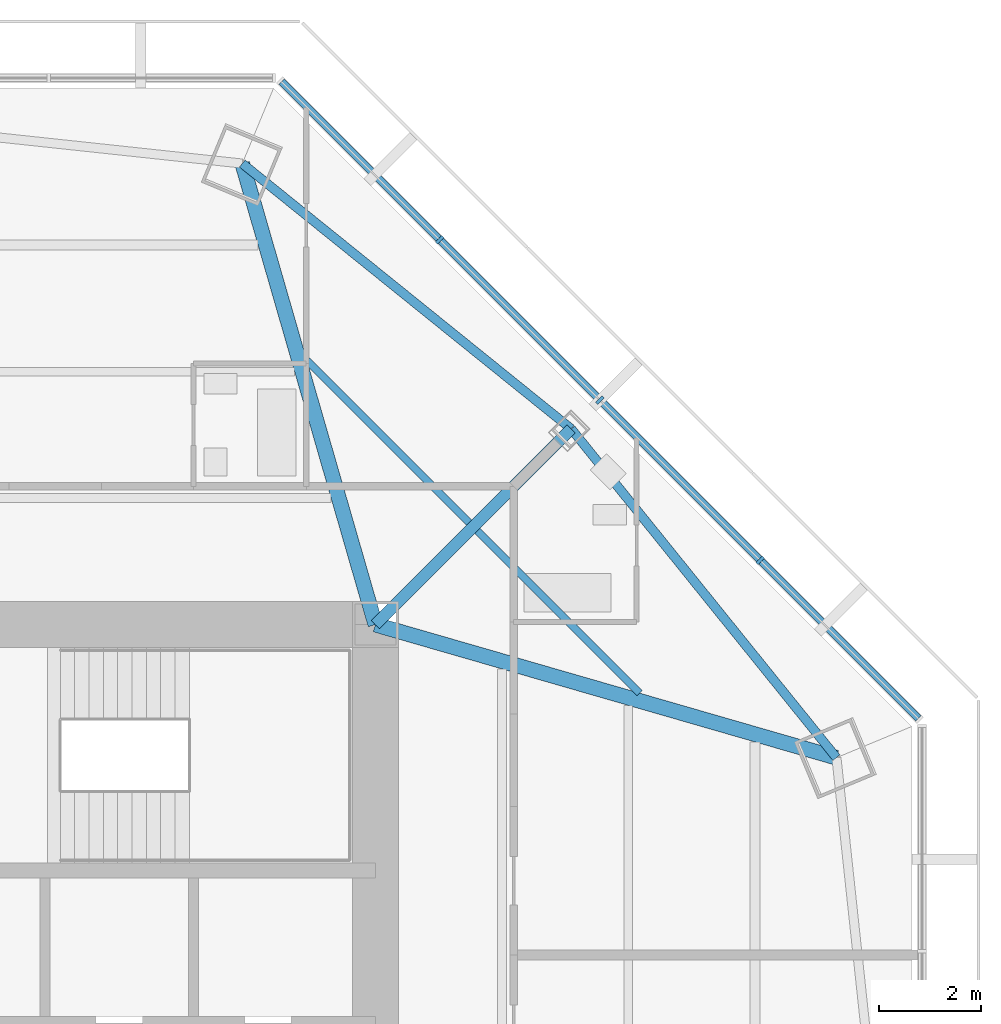
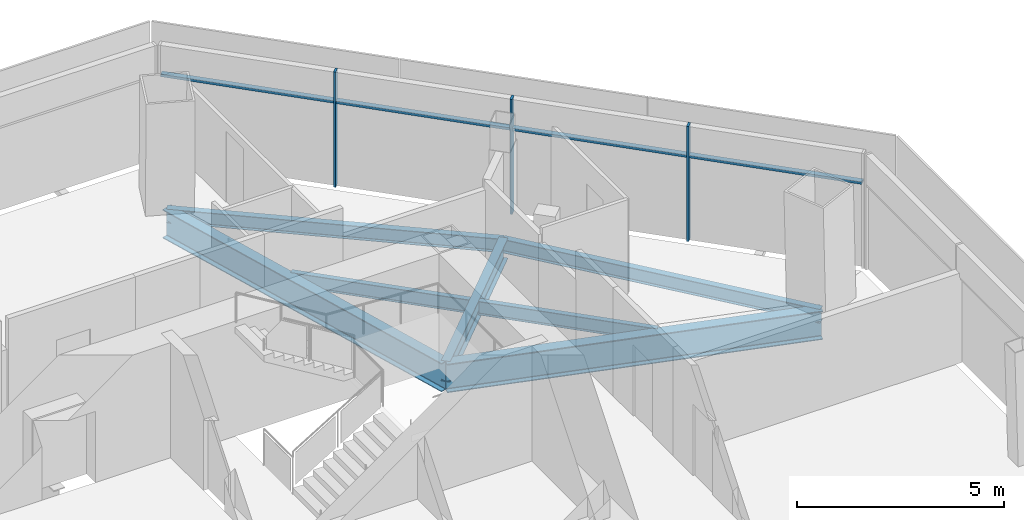
# One storey, part 6 of 15: 7 beams, 7 members, 1 element without a shape of its own.
"""IFC4 building model written with IfcOpenShell, lengths in metres."""

from ifc_helpers import new_model, si_unit, direction, frame, origin, origin_2d, place, context, subcontext, project, spatial, rectangle, i_section, extrude, source, transform, mapped, material, material_profile, profile_set, type_object, type_shapes, element, aggregate, save


model = new_model("IFC4")

# Units and contexts
model_context = context("Model", 3, precision=1e-05, world=origin(), true_north=direction((0.0, 1.0)))
body_context = subcontext(model_context, "Body", "Model", "MODEL_VIEW")
ifc_project = project(units=[si_unit("LENGTHUNIT", "METRE"), si_unit("AREAUNIT", "SQUARE_METRE"), si_unit("VOLUMEUNIT", "CUBIC_METRE"), si_unit("PLANEANGLEUNIT", "RADIAN"), si_unit("MASSUNIT", "GRAM", prefix="KILO")], contexts=[model_context])

# Site, building, storey
site_placement = place(None, origin())
site = spatial("IfcSite", under=ifc_project, at=site_placement, CompositionType="ELEMENT")
building_placement = place(site_placement, origin())
building = spatial("IfcBuilding", under=site, at=building_placement, Name="Mashrafa Tower", CompositionType="ELEMENT")
storey_placement = place(building_placement, frame((0.0, 0.0, 231.199951171875)))
storey = spatial("IfcBuildingStorey", under=building, at=storey_placement, Name="L54", CompositionType="ELEMENT", Elevation=231.199951171875)

# Beams
ifc_material_1 = material(Name="Steel ASTM A992", Category="steel")
ifc_material_profile_1 = material_profile(ifc_material_1, i_section(OverallWidth=0.140380859375, OverallDepth=0.40380859375, WebThickness=0.007080078125, FlangeThickness=0.01123046875, FilletRadius=0.01025390625, at=origin_2d()), Name="W16X31")
ifc_profile_set_1 = profile_set([ifc_material_profile_1], Name="Steel ASTM A992")
beam_type_1 = type_object("IfcBeamType", Name="Beam W16X31", PredefinedType="BEAM", material=ifc_profile_set_1)
for number, where, z_axis, x_axis, name in (
    (1, (9.462890625, 15.960205078125, -0.40185546875), (0.707106781187, -0.707106781187, 0.0), (0.707106781187, 0.707106781187, 0.0), "Floor beam L54 021"),
    (2, (12.792236328125, 12.630859375, -0.40185546875), (0.707106781187, -0.707106781187, 0.0), (0.707106781187, 0.707106781187, 0.0), "Floor beam L54 025"),
):
    element("IfcBeam", number, at=place(storey_placement, frame(where, z_axis=z_axis, x_axis=x_axis)), inside=storey, type_object=beam_type_1, Name=name, PredefinedType="BEAM", context=body_context, shape_type="SweptSolid", body=[
        extrude(i_section(OverallWidth=0.140380859375, OverallDepth=0.40380859375, WebThickness=0.007080078125, FlangeThickness=0.01123046875, FilletRadius=0.01025390625, at=origin_2d()), origin(), (0.0, 0.0, 1.0), 4.480224609375),
    ])
ifc_material_2 = material(Name="Steel ASTM A992", Category="steel")
ifc_material_profile_2 = material_profile(ifc_material_2, i_section(OverallWidth=0.177734375, OverallDepth=0.406494140625, WebThickness=0.0078125, FlangeThickness=0.012939453125, FilletRadius=0.01025390625, at=origin_2d()), Name="W16X40")
ifc_profile_set_2 = profile_set([ifc_material_profile_2], Name="Steel ASTM A992")
beam_type_2 = type_object("IfcBeamType", Name="Beam W16X40", PredefinedType="BEAM", material=ifc_profile_set_2)
for number, where, z_axis, x_axis, name in (
    (3, (14.623046875, 14.623046875, -0.403076171875), (-0.778379448753, 0.627794101405, 0.0), (-0.627794101405, -0.778379448753, 0.0), "Spandrel beam L54 061"),
    (4, (19.8017578125, 8.2021484375, -0.403076171875), (-0.627794101405, 0.778379448753, 0.0), (-0.778379448753, -0.627794101405, 0.0), "Spandrel beam L54 063"),
):
    element("IfcBeam", number, at=place(storey_placement, frame(where, z_axis=z_axis, x_axis=x_axis)), inside=storey, type_object=beam_type_2, Name=name, PredefinedType="BEAM", context=body_context, shape_type="SweptSolid", body=[
        extrude(i_section(OverallWidth=0.177734375, OverallDepth=0.406494140625, WebThickness=0.0078125, FlangeThickness=0.012939453125, FilletRadius=0.01025390625, at=origin_2d()), origin(), (0.0, 0.0, 1.0), 8.2490234375),
    ])
ifc_material_3 = material(Name="Steel ASTM A992", Category="steel")
ifc_material_profile_3 = material_profile(ifc_material_3, i_section(OverallWidth=0.228271484375, OverallDepth=0.607177734375, WebThickness=0.01123046875, FlangeThickness=0.017333984375, FilletRadius=0.0126953125, at=origin_2d()), Name="W24X76")
ifc_profile_set_3 = profile_set([ifc_material_profile_3], Name="Steel ASTM A992")
beam_type_3 = type_object("IfcBeamType", Name="Beam W24X76", PredefinedType="BEAM", material=ifc_profile_set_3)
beam_placement = place(storey_placement, frame((10.800048828125, 10.800048828125, -0.50341796875), z_axis=(0.707106781187, 0.707106781187, 0.0), x_axis=(-0.707106781187, 0.707106781187, 0.0)))
element("IfcBeam", 5, at=beam_placement, inside=storey, type_object=beam_type_3, Name="Radial girder L54 047", PredefinedType="BEAM", context=body_context, shape_type="SweptSolid", body=[
    extrude(i_section(OverallWidth=0.228271484375, OverallDepth=0.607177734375, WebThickness=0.01123046875, FlangeThickness=0.017333984375, FilletRadius=0.0126953125, at=origin_2d()), origin(), (0.0, 0.0, 1.0), 5.406494140625),
])
ifc_material_4 = material(Name="Steel ASTM A992", Category="steel")
ifc_material_profile_4 = material_profile(ifc_material_4, i_section(OverallWidth=0.2919921875, OverallDepth=0.845703125, WebThickness=0.015380859375, FlangeThickness=0.0244140625, FilletRadius=0.017333984375, at=origin_2d()), Name="W33X141")
ifc_profile_set_4 = profile_set([ifc_material_profile_4], Name="Steel ASTM A992")
beam_type_4 = type_object("IfcBeamType", Name="Beam W33X141", PredefinedType="BEAM", material=ifc_profile_set_4)
for number, where, z_axis, x_axis, name in (
    (6, (10.800048828125, 10.800048828125, -0.622802734375), (-0.277284169178, 0.960787952424, 0.0), (-0.960787952424, -0.277284169178, 0.0), "Radial girder L54 046"),
    (7, (10.800048828125, 10.800048828125, -0.622802734375), (0.960787952424, -0.277284169178, 0.0), (0.277284169178, 0.960787952424, 0.0), "Radial girder L54 048"),
):
    element("IfcBeam", number, at=place(storey_placement, frame(where, z_axis=z_axis, x_axis=x_axis)), inside=storey, type_object=beam_type_4, Name=name, PredefinedType="BEAM", context=body_context, shape_type="SweptSolid", body=[
        extrude(i_section(OverallWidth=0.2919921875, OverallDepth=0.845703125, WebThickness=0.015380859375, FlangeThickness=0.0244140625, FilletRadius=0.017333984375, at=origin_2d()), origin(), (0.0, 0.0, 1.0), 9.369140625),
    ])

# Curtain wall, members
ifc_material_5 = material(Name="Unitised aluminium curtain wall", Category="aluminium")
curtain_wall_type = type_object("IfcCurtainWallType", Name="Apartment curtain wall, zone 3 CW-C 180 deep", PredefinedType="NOTDEFINED", material=ifc_material_5)
curtain_wall_placement = place(storey_placement, origin())
curtain_wall = element("IfcCurtainWall", 8, at=curtain_wall_placement, inside=storey, type_object=curtain_wall_type, Name="Apartment curtain wall, zone 3 L54 north-east", PredefinedType="NOTDEFINED")
ifc_material_6 = material(Name="Extruded aluminium mullion", Category="aluminium")
ifc_material_profile_5 = material_profile(ifc_material_6, rectangle(XDim=0.179931640625, YDim=0.06005859375, at=origin_2d()), Name="Mullion 60x180")
ifc_profile_set_5 = profile_set([ifc_material_profile_5], Name="Extruded aluminium mullion")
member_type_1 = type_object("IfcMemberType", Name="Mullion CW-C 60 x 180", PredefinedType="MULLION", material=ifc_profile_set_5)
shared_shape_1 = source(origin(), body_context, "Body", "SweptSolid", [
    extrude(rectangle(XDim=0.179931640625, YDim=0.06005859375, at=origin_2d()), origin(), (0.0, 0.0, 1.0), 3.400146484375),
])
type_shapes(member_type_1, [shared_shape_1])
member_1_placement = place(storey_placement, frame((18.312744140625, 12.056640625, 0.0), z_axis=(0.0, 0.0, 1.0), x_axis=(-0.707106781187, -0.707106781187, 0.0)))
member_1 = element("IfcMember", 9, at=member_1_placement, type_object=member_type_1, Name="CW-C mullion 2", PredefinedType="MULLION", context=body_context, shape_type="MappedRepresentation", body=[
    mapped(shared_shape_1, transform((0.0, 0.0, 0.0))),
])
member_2_placement = place(storey_placement, frame((15.184814453125, 15.184814453125, 0.0), z_axis=(0.0, 0.0, 1.0), x_axis=(-0.707106781187, -0.707106781187, 0.0)))
member_2 = element("IfcMember", 10, at=member_2_placement, type_object=member_type_1, Name="CW-C mullion 3", PredefinedType="MULLION", context=body_context, shape_type="MappedRepresentation", body=[
    mapped(shared_shape_1, transform((0.0, 0.0, 0.0))),
])
member_3_placement = place(storey_placement, frame((12.056640625, 18.312744140625, 0.0), z_axis=(0.0, 0.0, 1.0), x_axis=(-0.707106781187, -0.707106781187, 0.0)))
member_3 = element("IfcMember", 11, at=member_3_placement, type_object=member_type_1, Name="CW-C mullion 4", PredefinedType="MULLION", context=body_context, shape_type="MappedRepresentation", body=[
    mapped(shared_shape_1, transform((0.0, 0.0, 0.0))),
])
ifc_material_7 = material(Name="Extruded aluminium transom", Category="aluminium")
ifc_material_profile_6 = material_profile(ifc_material_7, rectangle(XDim=0.14404296875, YDim=0.074951171875, at=origin_2d()), Name="Transom 75x144")
ifc_profile_set_6 = profile_set([ifc_material_profile_6], Name="Extruded aluminium transom")
member_type_2 = type_object("IfcMemberType", Name="Transom CW-C 75 x 144", PredefinedType="MULLION", material=ifc_profile_set_6)
shared_shape_2 = source(origin(), body_context, "Body", "SweptSolid", [
    extrude(rectangle(XDim=0.14404296875, YDim=0.074951171875, at=origin_2d()), origin(), (0.0, 0.0, 1.0), 4.333740234375),
])
member_4_placement = place(storey_placement, frame((21.3984375, 8.970947265625, 2.5), z_axis=(-0.707106781187, 0.707106781187, 0.0), x_axis=(-0.707106781187, -0.707106781187, 0.0)))
member_4 = element("IfcMember", 12, at=member_4_placement, type_object=member_type_2, Name="CW-C transom 1", PredefinedType="MULLION", context=body_context, shape_type="MappedRepresentation", body=[
    mapped(shared_shape_2, transform((0.0, 0.0, 0.0))),
])
member_5_placement = place(storey_placement, frame((12.035400390625, 18.333984375, 2.5), z_axis=(-0.707106781187, 0.707106781187, 0.0), x_axis=(-0.707106781187, -0.707106781187, 0.0)))
member_5 = element("IfcMember", 13, at=member_5_placement, type_object=member_type_2, Name="CW-C transom 4", PredefinedType="MULLION", context=body_context, shape_type="MappedRepresentation", body=[
    mapped(shared_shape_2, transform((0.0, 0.0, 0.0))),
])
shared_shape_3 = source(origin(), body_context, "Body", "SweptSolid", [
    extrude(rectangle(XDim=0.14404296875, YDim=0.074951171875, at=origin_2d()), origin(), (0.0, 0.0, 1.0), 4.36376953125),
])
type_shapes(member_type_2, [shared_shape_2, shared_shape_3])
member_6_placement = place(storey_placement, frame((18.29150390625, 12.077880859375, 2.5), z_axis=(-0.707106781187, 0.707106781187, 0.0), x_axis=(-0.707106781187, -0.707106781187, 0.0)))
member_6 = element("IfcMember", 14, at=member_6_placement, type_object=member_type_2, Name="CW-C transom 2", PredefinedType="MULLION", context=body_context, shape_type="MappedRepresentation", body=[
    mapped(shared_shape_3, transform((0.0, 0.0, 0.0))),
])
member_7_placement = place(storey_placement, frame((15.16357421875, 15.205810546875, 2.5), z_axis=(-0.707106781187, 0.707106781187, 0.0), x_axis=(-0.707106781187, -0.707106781187, 0.0)))
member_7 = element("IfcMember", 15, at=member_7_placement, type_object=member_type_2, Name="CW-C transom 3", PredefinedType="MULLION", context=body_context, shape_type="MappedRepresentation", body=[
    mapped(shared_shape_3, transform((0.0, 0.0, 0.0))),
])
aggregate(curtain_wall, [member_1, member_2, member_3, member_4, member_6, member_7, member_5])

save(model, "model.ifc")
